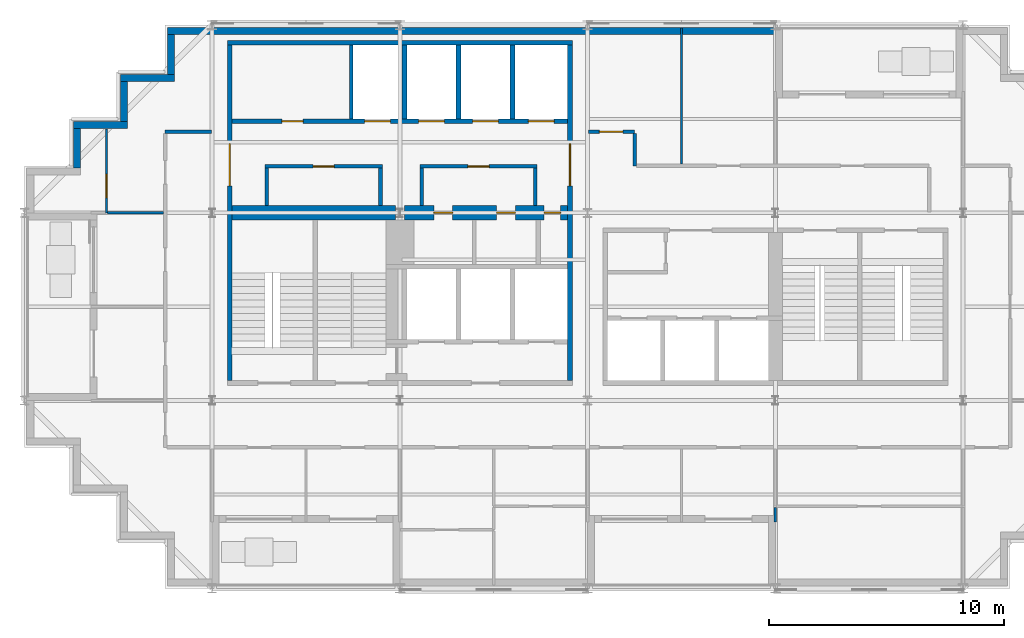
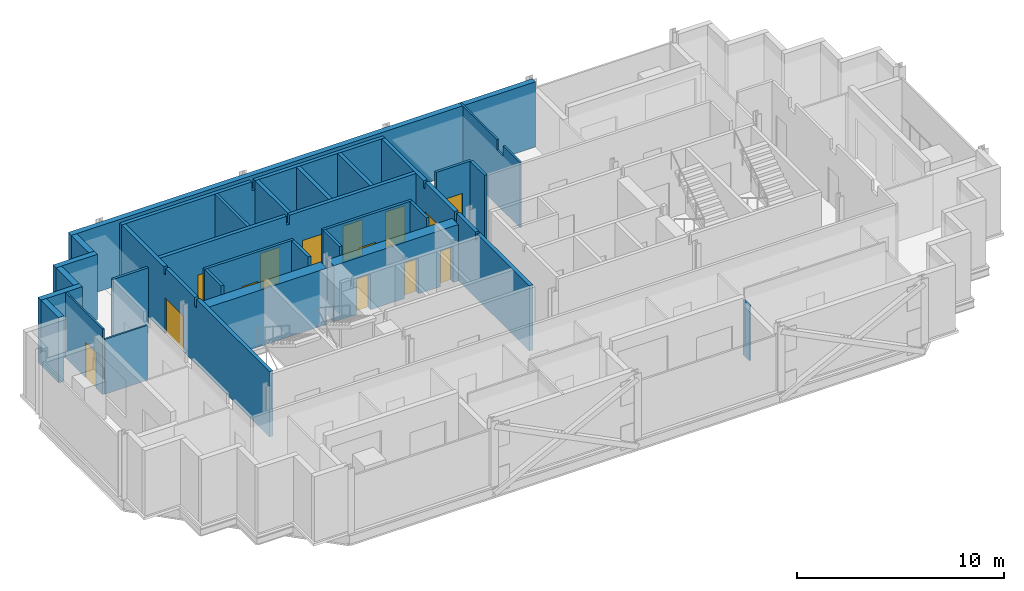
# One storey, part 6 of 10: 29 walls, 14 doors, 14 openings.
"""IFC4 building model written with IfcOpenShell, lengths in metres."""

from ifc_helpers import new_model, si_unit, direction, frame, frame_2d, origin, place, context, subcontext, project, spatial, polyline, rectangle, outline, extrude, material, layer, layer_set, type_object, element, fill, save


model = new_model("IFC4")

# Units and contexts
model_context = context("Model", 3, precision=1e-05, world=origin(), true_north=direction((0.0, 1.0)))
body_context = subcontext(model_context, "Body", "Model", "MODEL_VIEW")
ifc_project = project(units=[si_unit("LENGTHUNIT", "METRE"), si_unit("AREAUNIT", "SQUARE_METRE"), si_unit("VOLUMEUNIT", "CUBIC_METRE"), si_unit("PLANEANGLEUNIT", "RADIAN"), si_unit("MASSUNIT", "GRAM", prefix="KILO")], contexts=[model_context])

# Site, building, storey
site_placement = place(None, origin())
site = spatial("IfcSite", under=ifc_project, at=site_placement, CompositionType="ELEMENT")
building_placement = place(site_placement, origin())
building = spatial("IfcBuilding", under=site, at=building_placement, Name="Immortelle Media Tower", CompositionType="ELEMENT")
storey_placement = place(building_placement, frame((0.0, 0.0, 291.0)))
storey = spatial("IfcBuildingStorey", under=building, at=storey_placement, Name="L64", CompositionType="ELEMENT", Elevation=291.0)

# Wall, openings, doors
ifc_material_1 = material(Name="Fire-rated masonry blockwork", Category="masonry")
ifc_layer_1 = layer(ifc_material_1, 0.60009765625)
ifc_layer_set_1 = layer_set([ifc_layer_1], Name="Fire-rated masonry blockwork")
wall_type_1 = type_object("IfcWallType", Name="Core grid-line wall 600", PredefinedType="PARTITIONING", material=ifc_layer_set_1)
wall_1_placement = place(storey_placement, frame((16.19140625, 16.0, 0.0), z_axis=(0.0, 0.0, 1.0), x_axis=(1.0, 0.0, 0.0)))
wall_1 = element("IfcWall", 1, at=wall_1_placement, inside=storey, type_object=wall_type_1, Name="Core grid-line wall SW", PredefinedType="PARTITIONING", context=body_context, shape_type="SweptSolid", body=[
    extrude(rectangle(XDim=6.95849609375, YDim=0.60009765625, at=frame_2d((3.479248046875, 0.0))), origin(), (0.0, 0.0, 1.0), 3.318115234375),
])
opening_1_placement = place(wall_1_placement, frame((2.05859375, 0.0, 0.0), z_axis=(0.0, 0.0, 1.0), x_axis=(-1.0, 0.0, 0.0)))
opening_1 = element("IfcOpeningElement", 2, at=opening_1_placement, cuts=wall_1, Name="Opening X6-K010", PredefinedType="OPENING", context=body_context, shape_type="SweptSolid", body=[
    extrude(rectangle(XDim=0.800048828125, YDim=2.10009765625, at=frame_2d((0.39990234375, 1.050048828125))), frame((0.0, 0.31005859375, 0.0), z_axis=(0.0, -1.0, 0.0), x_axis=(1.0, 0.0, 0.0)), (0.0, 0.0, 1.0), 0.6201171875),
])
opening_2_placement = place(wall_1_placement, frame((3.93359375, 0.0, 0.0)))
opening_2 = element("IfcOpeningElement", 3, at=opening_2_placement, cuts=wall_1, Name="Opening X6-K015", PredefinedType="OPENING", context=body_context, shape_type="SweptSolid", body=[
    extrude(rectangle(XDim=0.800048828125, YDim=2.10009765625, at=frame_2d((0.39990234375, 1.050048828125))), frame((0.0, 0.31005859375, 0.0), z_axis=(0.0, -1.0, 0.0), x_axis=(1.0, 0.0, 0.0)), (0.0, 0.0, 1.0), 0.6201171875),
])
opening_3_placement = place(wall_1_placement, frame((6.658447265625, 0.0, 0.0), z_axis=(0.0, 0.0, 1.0), x_axis=(-1.0, 0.0, 0.0)))
opening_3 = element("IfcOpeningElement", 4, at=opening_3_placement, cuts=wall_1, Name="Opening X6-K018", PredefinedType="OPENING", context=body_context, shape_type="SweptSolid", body=[
    extrude(rectangle(XDim=0.699951171875, YDim=2.10009765625, at=frame_2d((0.35009765625, 1.050048828125))), frame((0.0, 0.31005859375, 0.0), z_axis=(0.0, -1.0, 0.0), x_axis=(1.0, 0.0, 0.0)), (0.0, 0.0, 1.0), 0.6201171875),
])
ifc_material_2 = material(Name="Galvanised steel door leaf and frame ASTM A653", Category="steel")
door_type_1 = type_object("IfcDoorType", Name="Service door 700 x 2100", OperationType="NOTDEFINED", PredefinedType="NOTDEFINED", material=ifc_material_2)
door_1_placement = place(opening_3_placement, origin())
door_1 = element("IfcDoor", 5, at=door_1_placement, inside=storey, type_object=door_type_1, Name="Service X6-K018", OperationType="SINGLE_SWING_RIGHT", OverallHeight=2.10009765625, OverallWidth=0.699951171875, PredefinedType="NOTDEFINED", context=body_context, shape_type="SweptSolid", body=[
    extrude(rectangle(XDim=0.699951171875, YDim=2.10009765625, at=frame_2d((0.35009765625, 1.050048828125))), frame((0.0, 0.02490234375, 0.0), z_axis=(0.0, -1.0, 0.0), x_axis=(1.0, 0.0, 0.0)), (0.0, 0.0, 1.0), 0.050048828125),
])
fill(opening_3, door_1)
ifc_material_3 = material(Name="Timber", Category="wood")
door_type_2 = type_object("IfcDoorType", Name="Toilet door 800 x 2100", OperationType="NOTDEFINED", PredefinedType="NOTDEFINED", material=ifc_material_3)
door_2_placement = place(opening_1_placement, origin())
door_2 = element("IfcDoor", 6, at=door_2_placement, inside=storey, type_object=door_type_2, Name="Toilet X6-K010", OperationType="SINGLE_SWING_RIGHT", OverallHeight=2.10009765625, OverallWidth=0.800048828125, PredefinedType="NOTDEFINED", context=body_context, shape_type="SweptSolid", body=[
    extrude(rectangle(XDim=0.800048828125, YDim=2.10009765625, at=frame_2d((0.39990234375, 1.050048828125))), frame((0.0, 0.02490234375, 0.0), z_axis=(0.0, -1.0, 0.0), x_axis=(1.0, 0.0, 0.0)), (0.0, 0.0, 1.0), 0.050048828125),
])
fill(opening_1, door_2)
door_3_placement = place(opening_2_placement, origin())
door_3 = element("IfcDoor", 7, at=door_3_placement, inside=storey, type_object=door_type_2, Name="Toilet X6-K015", OperationType="SINGLE_SWING_RIGHT", OverallHeight=2.10009765625, OverallWidth=0.800048828125, PredefinedType="NOTDEFINED", context=body_context, shape_type="SweptSolid", body=[
    extrude(rectangle(XDim=0.800048828125, YDim=2.10009765625, at=frame_2d((0.39990234375, 1.050048828125))), frame((0.0, 0.02490234375, 0.0), z_axis=(0.0, -1.0, 0.0), x_axis=(1.0, 0.0, 0.0)), (0.0, 0.0, 1.0), 0.050048828125),
])
fill(opening_2, door_3)

# Wall
ifc_material_4 = material(Name="Fire-rated gypsum board", Category="gypsum")
ifc_layer_2 = layer(ifc_material_4, 0.02490234375)
ifc_material_5 = material(Name="Steel ASTM A653 SS Gr 50 stud frame with mineral wool", Category="steel")
ifc_layer_3 = layer(ifc_material_5, 0.10009765625)
ifc_layer_4 = layer(ifc_material_4, 0.02490234375)
ifc_layer_set_2 = layer_set([ifc_layer_2, ifc_layer_3, ifc_layer_4], Name="Steel ASTM A653 SS Gr 50 stud frame with mineral wool")
wall_type_2 = type_object("IfcWallType", Name="Core partition 150", PredefinedType="PARTITIONING", material=ifc_layer_set_2)
wall_2_placement = place(storey_placement, frame((10.324951171875, 16.300048828125, 0.0), z_axis=(0.0, 0.0, 1.0), x_axis=(0.0, 1.0, 0.0)))
element("IfcWall", 8, at=wall_2_placement, inside=storey, type_object=wall_type_2, Name="Core partition SW", PredefinedType="PARTITIONING", context=body_context, shape_type="SweptSolid", body=[
    extrude(rectangle(XDim=1.599853515625, YDim=0.14990234375, at=frame_2d((0.7998046875, 0.0))), origin(), (0.0, 0.0, 1.0), 3.85009765625),
])

# Wall, opening, door
wall_3_placement = place(storey_placement, frame((10.25, 17.97509765625, 0.0), z_axis=(0.0, 0.0, 1.0), x_axis=(1.0, 0.0, 0.0)))
wall_3 = element("IfcWall", 9, at=wall_3_placement, inside=storey, type_object=wall_type_2, Name="Core partition SW", PredefinedType="PARTITIONING", context=body_context, shape_type="SweptSolid", body=[
    extrude(rectangle(XDim=5.0, YDim=0.14990234375, at=frame_2d((2.5, 0.0))), origin(), (0.0, 0.0, 1.0), 3.85009765625),
])
opening_4_placement = place(wall_3_placement, frame((2.949951171875, 0.0, 0.0), z_axis=(0.0, 0.0, 1.0), x_axis=(-1.0, 0.0, 0.0)))
opening_4 = element("IfcOpeningElement", 10, at=opening_4_placement, cuts=wall_3, Name="Opening X6-K004", PredefinedType="OPENING", context=body_context, shape_type="SweptSolid", body=[
    extrude(rectangle(XDim=0.89990234375, YDim=2.10009765625, at=frame_2d((0.449951171875, 1.050048828125))), frame((0.0, 0.0849609375, 0.0), z_axis=(0.0, -1.0, 0.0), x_axis=(1.0, 0.0, 0.0)), (0.0, 0.0, 1.0), 0.169921875),
])
door_type_3 = type_object("IfcDoorType", Name="Room door 900 x 2100", OperationType="NOTDEFINED", PredefinedType="NOTDEFINED", material=ifc_material_3)
door_4_placement = place(opening_4_placement, origin())
door_4 = element("IfcDoor", 11, at=door_4_placement, inside=storey, type_object=door_type_3, Name="Room X6-K004", OperationType="SINGLE_SWING_LEFT", OverallHeight=2.10009765625, OverallWidth=0.89990234375, PredefinedType="NOTDEFINED", context=body_context, shape_type="SweptSolid", body=[
    extrude(rectangle(XDim=0.89990234375, YDim=2.10009765625, at=frame_2d((0.449951171875, 1.050048828125))), frame((0.0, 0.02490234375, 0.0), z_axis=(0.0, -1.0, 0.0), x_axis=(1.0, 0.0, 0.0)), (0.0, 0.0, 1.0), 0.050048828125),
])
fill(opening_4, door_4)

# Walls
wall_4_placement = place(storey_placement, frame((13.925048828125, 20.0, 0.0), z_axis=(0.0, 0.0, 1.0), x_axis=(0.0, 1.0, 0.0)))
element("IfcWall", 12, at=wall_4_placement, inside=storey, type_object=wall_type_2, Name="Core partition SW", PredefinedType="PARTITIONING", context=body_context, shape_type="SweptSolid", body=[
    extrude(rectangle(XDim=3.14990234375, YDim=0.14990234375, at=frame_2d((1.574951171875, 0.0))), origin(), (0.0, 0.0, 1.0), 3.85009765625),
])
for number, where, z_axis, x_axis, name in (
    (13, (15.175048828125, 16.300048828125, 0.0), (0.0, 0.0, 1.0), (0.0, 1.0, 0.0), "Core partition SW"),
    (14, (16.925048828125, 16.300048828125, 0.0), (0.0, 0.0, 1.0), (0.0, 1.0, 0.0), "Core partition SW"),
):
    element("IfcWall", number, at=place(storey_placement, frame(where, z_axis=z_axis, x_axis=x_axis)), inside=storey, type_object=wall_type_2, Name=name, PredefinedType="PARTITIONING", context=body_context, shape_type="SweptSolid", body=[
        extrude(rectangle(XDim=1.599853515625, YDim=0.14990234375, at=frame_2d((0.7998046875, 0.0))), origin(), (0.0, 0.0, 1.0), 3.85009765625),
    ])

# Wall, opening, door
wall_5_placement = place(storey_placement, frame((16.85009765625, 17.97509765625, 0.0), z_axis=(0.0, 0.0, 1.0), x_axis=(1.0, 0.0, 0.0)))
wall_5 = element("IfcWall", 15, at=wall_5_placement, inside=storey, type_object=wall_type_2, Name="Core partition SW", PredefinedType="PARTITIONING", context=body_context, shape_type="SweptSolid", body=[
    extrude(rectangle(XDim=5.0, YDim=0.14990234375, at=frame_2d((2.5, 0.0))), origin(), (0.0, 0.0, 1.0), 3.85009765625),
])
opening_5_placement = place(wall_5_placement, frame((2.949951171875, 0.0, 0.0), z_axis=(0.0, 0.0, 1.0), x_axis=(-1.0, 0.0, 0.0)))
opening_5 = element("IfcOpeningElement", 16, at=opening_5_placement, cuts=wall_5, Name="Opening X6-K011", PredefinedType="OPENING", context=body_context, shape_type="SweptSolid", body=[
    extrude(rectangle(XDim=0.89990234375, YDim=2.10009765625, at=frame_2d((0.449951171875, 1.050048828125))), frame((0.0, 0.0849609375, 0.0), z_axis=(0.0, -1.0, 0.0), x_axis=(1.0, 0.0, 0.0)), (0.0, 0.0, 1.0), 0.169921875),
])
door_5_placement = place(opening_5_placement, origin())
door_5 = element("IfcDoor", 17, at=door_5_placement, inside=storey, type_object=door_type_3, Name="Room X6-K011", OperationType="SINGLE_SWING_RIGHT", OverallHeight=2.10009765625, OverallWidth=0.89990234375, PredefinedType="NOTDEFINED", context=body_context, shape_type="SweptSolid", body=[
    extrude(rectangle(XDim=0.89990234375, YDim=2.10009765625, at=frame_2d((0.449951171875, 1.050048828125))), frame((0.0, 0.02490234375, 0.0), z_axis=(0.0, -1.0, 0.0), x_axis=(1.0, 0.0, 0.0)), (0.0, 0.0, 1.0), 0.050048828125),
])
fill(opening_5, door_5)

# Walls
wall_6_placement = place(storey_placement, frame((21.77490234375, 16.300048828125, 0.0), z_axis=(0.0, 0.0, 1.0), x_axis=(0.0, 1.0, 0.0)))
element("IfcWall", 18, at=wall_6_placement, inside=storey, type_object=wall_type_2, Name="Core partition SW", PredefinedType="PARTITIONING", context=body_context, shape_type="SweptSolid", body=[
    extrude(rectangle(XDim=1.599853515625, YDim=0.14990234375, at=frame_2d((0.7998046875, 0.0))), origin(), (0.0, 0.0, 1.0), 3.85009765625),
])
ifc_layer_5 = layer(ifc_material_4, 0.03759765625)
ifc_layer_6 = layer(ifc_material_5, 0.125)
ifc_layer_7 = layer(ifc_material_4, 0.03759765625)
ifc_layer_set_3 = layer_set([ifc_layer_5, ifc_layer_6, ifc_layer_7], Name="Steel ASTM A653 SS Gr 50 stud frame with mineral wool")
wall_type_3 = type_object("IfcWallType", Name="Core shaft wall 200", PredefinedType="PARTITIONING", material=ifc_layer_set_3)
wall_7_placement = place(storey_placement, frame((8.64990234375, 23.25, 0.0), z_axis=(0.0, 0.0, 1.0), x_axis=(1.0, 0.0, 0.0)))
element("IfcWall", 19, at=wall_7_placement, inside=storey, type_object=wall_type_3, Name="Core shaft wall SW", PredefinedType="PARTITIONING", context=body_context, shape_type="SweptSolid", body=[
    extrude(outline(polyline([(0.0, 0.0), (14.7001953125, 0.0), (14.699951171875, 3.85009765625), (7.4375, 3.85009765625), (7.4365234375, 3.318115234375), (7.263427734375, 3.318115234375), (7.262451171875, 3.85009765625), (0.0, 3.85009765625), (0.0, 0.0)])), frame((0.0, 0.10009765625, 0.0), z_axis=(0.0, -1.0, 0.0), x_axis=(1.0, 0.0, 0.0)), (0.0, 0.0, 1.0), 0.199951171875),
])

# Wall, openings, doors
wall_8_placement = place(storey_placement, frame((8.85009765625, 19.89990234375, 0.0), z_axis=(0.0, 0.0, 1.0), x_axis=(1.0, 0.0, 0.0)))
wall_8 = element("IfcWall", 20, at=wall_8_placement, inside=storey, type_object=wall_type_3, Name="Core shaft wall SW", PredefinedType="PARTITIONING", context=body_context, shape_type="SweptSolid", body=[
    extrude(outline(polyline([(0.0, 0.0), (14.2998046875, 0.0), (14.300048828125, 3.85009765625), (7.237548828125, 3.85009765625), (7.236572265625, 3.318115234375), (7.0634765625, 3.318115234375), (7.0625, 3.85009765625), (0.0, 3.85009765625), (0.0, 0.0)])), frame((0.0, 0.10009765625, 0.0), z_axis=(0.0, -1.0, 0.0), x_axis=(1.0, 0.0, 0.0)), (0.0, 0.0, 1.0), 0.199951171875),
])
opening_6_placement = place(wall_8_placement, frame((2.125, 0.0, 0.0)))
opening_6 = element("IfcOpeningElement", 21, at=opening_6_placement, cuts=wall_8, Name="Opening X6-K003", PredefinedType="OPENING", context=body_context, shape_type="SweptSolid", body=[
    extrude(rectangle(XDim=0.89990234375, YDim=2.10009765625, at=frame_2d((0.449951171875, 1.050048828125))), frame((0.0, 0.10986328125, 0.0), z_axis=(0.0, -1.0, 0.0), x_axis=(1.0, 0.0, 0.0)), (0.0, 0.0, 1.0), 0.219970703125),
])
opening_7_placement = place(wall_8_placement, frame((5.64990234375, 0.0, 0.0)))
opening_7 = element("IfcOpeningElement", 22, at=opening_7_placement, cuts=wall_8, Name="Opening LD", PredefinedType="OPENING", context=body_context, shape_type="SweptSolid", body=[
    extrude(rectangle(XDim=1.10009765625, YDim=2.10009765625, at=frame_2d((0.550048828125, 1.050048828125))), frame((0.0, 0.10986328125, 0.0), z_axis=(0.0, -1.0, 0.0), x_axis=(1.0, 0.0, 0.0)), (0.0, 0.0, 1.0), 0.219970703125),
])
opening_8_placement = place(wall_8_placement, frame((7.949951171875, 0.0, 0.0)))
opening_8 = element("IfcOpeningElement", 23, at=opening_8_placement, cuts=wall_8, Name="Opening LD", PredefinedType="OPENING", context=body_context, shape_type="SweptSolid", body=[
    extrude(rectangle(XDim=1.10009765625, YDim=2.10009765625, at=frame_2d((0.550048828125, 1.050048828125))), frame((0.0, 0.10986328125, 0.0), z_axis=(0.0, -1.0, 0.0), x_axis=(1.0, 0.0, 0.0)), (0.0, 0.0, 1.0), 0.219970703125),
])
opening_9_placement = place(wall_8_placement, frame((10.25, 0.0, 0.0)))
opening_9 = element("IfcOpeningElement", 24, at=opening_9_placement, cuts=wall_8, Name="Opening LD", PredefinedType="OPENING", context=body_context, shape_type="SweptSolid", body=[
    extrude(rectangle(XDim=1.10009765625, YDim=2.10009765625, at=frame_2d((0.550048828125, 1.050048828125))), frame((0.0, 0.10986328125, 0.0), z_axis=(0.0, -1.0, 0.0), x_axis=(1.0, 0.0, 0.0)), (0.0, 0.0, 1.0), 0.219970703125),
])
opening_10_placement = place(wall_8_placement, frame((12.625, 0.0, 0.0)))
opening_10 = element("IfcOpeningElement", 25, at=opening_10_placement, cuts=wall_8, Name="Opening LD", PredefinedType="OPENING", context=body_context, shape_type="SweptSolid", body=[
    extrude(rectangle(XDim=1.10009765625, YDim=2.10009765625, at=frame_2d((0.550048828125, 1.050048828125))), frame((0.0, 0.10986328125, 0.0), z_axis=(0.0, -1.0, 0.0), x_axis=(1.0, 0.0, 0.0)), (0.0, 0.0, 1.0), 0.219970703125),
])
ifc_material_6 = material(Name="Stainless steel AISI 304", Category="steel")
door_type_4 = type_object("IfcDoorType", Name="Landing door 1100 x 2100", OperationType="SLIDING_TO_LEFT", PredefinedType="NOTDEFINED", material=ifc_material_6)
door_6_placement = place(opening_7_placement, origin())
door_6 = element("IfcDoor", 26, at=door_6_placement, inside=storey, type_object=door_type_4, Name="Landing door HR1 L64", OperationType="SLIDING_TO_LEFT", OverallHeight=2.10009765625, OverallWidth=1.10009765625, PredefinedType="NOTDEFINED", context=body_context, shape_type="SweptSolid", body=[
    extrude(rectangle(XDim=1.10009765625, YDim=2.10009765625, at=frame_2d((0.550048828125, 1.050048828125))), frame((0.0, 0.02490234375, 0.0), z_axis=(0.0, -1.0, 0.0), x_axis=(1.0, 0.0, 0.0)), (0.0, 0.0, 1.0), 0.050048828125),
])
fill(opening_7, door_6)
door_7_placement = place(opening_8_placement, origin())
door_7 = element("IfcDoor", 27, at=door_7_placement, inside=storey, type_object=door_type_4, Name="Landing door HR2 L64", OperationType="SLIDING_TO_LEFT", OverallHeight=2.10009765625, OverallWidth=1.10009765625, PredefinedType="NOTDEFINED", context=body_context, shape_type="SweptSolid", body=[
    extrude(rectangle(XDim=1.10009765625, YDim=2.10009765625, at=frame_2d((0.550048828125, 1.050048828125))), frame((0.0, 0.02490234375, 0.0), z_axis=(0.0, -1.0, 0.0), x_axis=(1.0, 0.0, 0.0)), (0.0, 0.0, 1.0), 0.050048828125),
])
fill(opening_8, door_7)
door_8_placement = place(opening_9_placement, origin())
door_8 = element("IfcDoor", 28, at=door_8_placement, inside=storey, type_object=door_type_4, Name="Landing door HR3 L64", OperationType="SLIDING_TO_LEFT", OverallHeight=2.10009765625, OverallWidth=1.10009765625, PredefinedType="NOTDEFINED", context=body_context, shape_type="SweptSolid", body=[
    extrude(rectangle(XDim=1.10009765625, YDim=2.10009765625, at=frame_2d((0.550048828125, 1.050048828125))), frame((0.0, 0.02490234375, 0.0), z_axis=(0.0, -1.0, 0.0), x_axis=(1.0, 0.0, 0.0)), (0.0, 0.0, 1.0), 0.050048828125),
])
fill(opening_9, door_8)
door_9_placement = place(opening_10_placement, origin())
door_9 = element("IfcDoor", 29, at=door_9_placement, inside=storey, type_object=door_type_4, Name="Landing door HR4 L64", OperationType="SLIDING_TO_LEFT", OverallHeight=2.10009765625, OverallWidth=1.10009765625, PredefinedType="NOTDEFINED", context=body_context, shape_type="SweptSolid", body=[
    extrude(rectangle(XDim=1.10009765625, YDim=2.10009765625, at=frame_2d((0.550048828125, 1.050048828125))), frame((0.0, 0.02490234375, 0.0), z_axis=(0.0, -1.0, 0.0), x_axis=(1.0, 0.0, 0.0)), (0.0, 0.0, 1.0), 0.050048828125),
])
fill(opening_10, door_9)
door_10_placement = place(opening_6_placement, origin())
door_10 = element("IfcDoor", 30, at=door_10_placement, inside=storey, type_object=door_type_3, Name="Room X6-K003", OperationType="SINGLE_SWING_LEFT", OverallHeight=2.10009765625, OverallWidth=0.89990234375, PredefinedType="NOTDEFINED", context=body_context, shape_type="SweptSolid", body=[
    extrude(rectangle(XDim=0.89990234375, YDim=2.10009765625, at=frame_2d((0.449951171875, 1.050048828125))), frame((0.0, 0.02490234375, 0.0), z_axis=(0.0, -1.0, 0.0), x_axis=(1.0, 0.0, 0.0)), (0.0, 0.0, 1.0), 0.050048828125),
])
fill(opening_6, door_10)

# Walls
for number, where, z_axis, x_axis, name in (
    (31, (16.199951171875, 20.0, 0.0), (0.0, 0.0, 1.0), (0.0, 1.0, 0.0), "Core shaft wall SW"),
    (32, (18.5, 20.0, 0.0), (0.0, 0.0, 1.0), (0.0, 1.0, 0.0), "Core shaft wall SW"),
    (33, (20.800048828125, 20.0, 0.0), (0.0, 0.0, 1.0), (0.0, 1.0, 0.0), "Core shaft wall SW"),
):
    element("IfcWall", number, at=place(storey_placement, frame(where, z_axis=z_axis, x_axis=x_axis)), inside=storey, type_object=wall_type_3, Name=name, PredefinedType="PARTITIONING", context=body_context, shape_type="SweptSolid", body=[
        extrude(rectangle(XDim=3.14990234375, YDim=0.199951171875, at=frame_2d((1.574951171875, 0.0))), origin(), (0.0, 0.0, 1.0), 3.85009765625),
    ])

# Wall, opening, door
wall_9_placement = place(storey_placement, frame((23.25, 8.85009765625, 0.0), z_axis=(0.0, 0.0, 1.0), x_axis=(0.0, 1.0, 0.0)))
wall_9 = element("IfcWall", 34, at=wall_9_placement, inside=storey, type_object=wall_type_3, Name="Core shaft wall SW", PredefinedType="PARTITIONING", context=body_context, shape_type="SweptSolid", body=[
    extrude(outline(polyline([(0.0, 0.0), (14.2998046875, 0.0), (14.300048828125, 3.85009765625), (10.22509765625, 3.85009765625), (10.22412109375, 3.43994140625), (10.075927734375, 3.43994140625), (10.074951171875, 3.85009765625), (7.237548828125, 3.85009765625), (7.236572265625, 3.318115234375), (7.0634765625, 3.318115234375), (7.0625, 3.85009765625), (5.22509765625, 3.85009765625), (5.22412109375, 3.43994140625), (5.075927734375, 3.43994140625), (5.074951171875, 3.85009765625), (0.0, 3.85009765625), (0.0, 0.0)])), frame((0.0, 0.10009765625, 0.0), z_axis=(0.0, -1.0, 0.0), x_axis=(1.0, 0.0, 0.0)), (0.0, 0.0, 1.0), 0.199951171875),
])
opening_11_placement = place(wall_9_placement, frame((8.300048828125, 0.0, 0.0)))
opening_11 = element("IfcOpeningElement", 35, at=opening_11_placement, cuts=wall_9, Name="Opening X6-K019", PredefinedType="OPENING", context=body_context, shape_type="SweptSolid", body=[
    extrude(rectangle(XDim=1.800048828125, YDim=2.10009765625, at=frame_2d((0.89990234375, 1.050048828125))), frame((0.0, 0.10986328125, 0.0), z_axis=(0.0, -1.0, 0.0), x_axis=(1.0, 0.0, 0.0)), (0.0, 0.0, 1.0), 0.219970703125),
])
door_type_5 = type_object("IfcDoorType", Name="Lift lobby door 1800 x 2100", OperationType="DOUBLE_DOOR_SINGLE_SWING", PredefinedType="NOTDEFINED", material=ifc_material_2)
door_11_placement = place(opening_11_placement, origin())
door_11 = element("IfcDoor", 36, at=door_11_placement, inside=storey, type_object=door_type_5, Name="Lift lobby X6-K019", OperationType="DOUBLE_DOOR_SINGLE_SWING", OverallHeight=2.10009765625, OverallWidth=1.800048828125, PredefinedType="NOTDEFINED", context=body_context, shape_type="SweptSolid", body=[
    extrude(rectangle(XDim=1.800048828125, YDim=2.10009765625, at=frame_2d((0.89990234375, 1.050048828125))), frame((0.0, 0.02490234375, 0.0), z_axis=(0.0, -1.0, 0.0), x_axis=(1.0, 0.0, 0.0)), (0.0, 0.0, 1.0), 0.050048828125),
])
fill(opening_11, door_11)

# Walls
ifc_layer_8 = layer(ifc_material_4, 0.012451171875)
ifc_layer_9 = layer(ifc_material_5, 0.125)
ifc_layer_10 = layer(ifc_material_4, 0.012451171875)
ifc_layer_set_4 = layer_set([ifc_layer_8, ifc_layer_9, ifc_layer_10], Name="Steel ASTM A653 SS Gr 50 stud frame with mineral wool")
wall_type_4 = type_object("IfcWallType", Name="Corridor wall 150", PredefinedType="PARTITIONING", material=ifc_layer_set_4)
wall_10_placement = place(storey_placement, frame((26.0, 18.0, 0.0), z_axis=(0.0, 0.0, 1.0), x_axis=(0.0, 1.0, 0.0)))
element("IfcWall", 37, at=wall_10_placement, inside=storey, type_object=wall_type_4, Name="Partition L64-030", PredefinedType="PARTITIONING", context=body_context, shape_type="SweptSolid", body=[
    extrude(rectangle(XDim=1.375, YDim=0.14990234375, at=frame_2d((0.6875, 0.0))), origin(), (0.0, 0.0, 1.0), 3.85009765625),
])
wall_11_placement = place(storey_placement, frame((6.0, 19.449951171875, 0.0), z_axis=(0.0, 0.0, 1.0), x_axis=(1.0, 0.0, 0.0)))
element("IfcWall", 38, at=wall_11_placement, inside=storey, type_object=wall_type_4, Name="Partition L64-035", PredefinedType="PARTITIONING", context=body_context, shape_type="SweptSolid", body=[
    extrude(rectangle(XDim=1.969970703125, YDim=0.14990234375, at=frame_2d((0.98486328125, 0.0))), origin(), (0.0, 0.0, 1.0), 3.85009765625),
])

# Wall, opening, door
wall_12_placement = place(storey_placement, frame((24.030029296875, 19.449951171875, 0.0), z_axis=(0.0, 0.0, 1.0), x_axis=(1.0, 0.0, 0.0)))
wall_12 = element("IfcWall", 39, at=wall_12_placement, inside=storey, type_object=wall_type_4, Name="Partition L64-036", PredefinedType="PARTITIONING", context=body_context, shape_type="SweptSolid", body=[
    extrude(rectangle(XDim=1.969970703125, YDim=0.14990234375, at=frame_2d((0.98486328125, 0.0))), origin(), (0.0, 0.0, 1.0), 3.85009765625),
])
opening_12_placement = place(wall_12_placement, frame((0.469970703125, 0.0, 0.0)))
opening_12 = element("IfcOpeningElement", 40, at=opening_12_placement, cuts=wall_12, Name="Opening X6-F020", PredefinedType="OPENING", context=body_context, shape_type="SweptSolid", body=[
    extrude(rectangle(XDim=1.0, YDim=2.10009765625, at=frame_2d((0.5, 1.050048828125))), frame((0.0, 0.0849609375, 0.0), z_axis=(0.0, -1.0, 0.0), x_axis=(1.0, 0.0, 0.0)), (0.0, 0.0, 1.0), 0.169921875),
])
ifc_material_7 = material(Name="Timber veneered door leaf, galvanised steel frame ASTM A653", Category="steel")
door_type_6 = type_object("IfcDoorType", Name="Room door 1000 x 2100", OperationType="NOTDEFINED", PredefinedType="DOOR", material=ifc_material_7)
door_12_placement = place(opening_12_placement, origin())
door_12 = element("IfcDoor", 41, at=door_12_placement, inside=storey, type_object=door_type_6, Name="Door X6-F020", OperationType="SINGLE_SWING_LEFT", OverallHeight=2.10009765625, OverallWidth=1.0, PredefinedType="DOOR", context=body_context, shape_type="SweptSolid", body=[
    extrude(rectangle(XDim=1.0, YDim=2.10009765625, at=frame_2d((0.5, 1.050048828125))), frame((0.0, 0.02490234375, 0.0), z_axis=(0.0, -1.0, 0.0), x_axis=(1.0, 0.0, 0.0)), (0.0, 0.0, 1.0), 0.050048828125),
])
fill(opening_12, door_12)

# Walls
ifc_material_8 = material(Name="Pale aluminium cladding panel", Category="aluminium")
ifc_layer_11 = layer(ifc_material_8, 0.030029296875)
ifc_layer_12 = layer(ifc_material_5, 0.257568359375)
ifc_material_9 = material(Name="Moisture-resistant gypsum board", Category="gypsum")
ifc_layer_13 = layer(ifc_material_9, 0.012451171875)
ifc_layer_set_5 = layer_set([ifc_layer_11, ifc_layer_12, ifc_layer_13], Name="Steel ASTM A653 SS Gr 50 stud frame with mineral wool")
wall_type_5 = type_object("IfcWallType", Name="Facade wall 300", PredefinedType="SOLIDWALL", material=ifc_layer_set_5)
wall_13_placement = place(storey_placement, frame((32.0, 23.75, 0.0), z_axis=(0.0, 0.0, 1.0), x_axis=(-1.0, 0.0, 0.0)))
element("IfcWall", 42, at=wall_13_placement, inside=storey, type_object=wall_type_5, Name="Facade wall L64 N20", PredefinedType="SOLIDWALL", context=body_context, shape_type="SweptSolid", body=[
    extrude(rectangle(XDim=25.89990234375, YDim=0.300048828125, at=frame_2d((12.949951171875, 0.0))), origin(), (0.0, 0.0, 1.0), 3.85009765625),
])
wall_14_placement = place(storey_placement, frame((6.25, 23.60009765625, 0.0), z_axis=(0.0, 0.0, 1.0), x_axis=(0.0, -1.0, 0.0)))
element("IfcWall", 43, at=wall_14_placement, inside=storey, type_object=wall_type_5, Name="Facade wall L64 W21", PredefinedType="SOLIDWALL", context=body_context, shape_type="SweptSolid", body=[
    extrude(rectangle(XDim=1.7001953125, YDim=0.300048828125, at=frame_2d((0.85009765625, 0.0))), origin(), (0.0, 0.0, 1.0), 3.85009765625),
])
wall_15_placement = place(storey_placement, frame((6.39990234375, 21.75, 0.0), z_axis=(0.0, 0.0, 1.0), x_axis=(-1.0, 0.0, 0.0)))
element("IfcWall", 44, at=wall_15_placement, inside=storey, type_object=wall_type_5, Name="Facade wall L64 N22", PredefinedType="SOLIDWALL", context=body_context, shape_type="SweptSolid", body=[
    extrude(rectangle(XDim=2.2998046875, YDim=0.300048828125, at=frame_2d((1.14990234375, 0.0))), origin(), (0.0, 0.0, 1.0), 3.85009765625),
])
wall_16_placement = place(storey_placement, frame((4.25, 21.60009765625, 0.0), z_axis=(0.0, 0.0, 1.0), x_axis=(0.0, -1.0, 0.0)))
element("IfcWall", 45, at=wall_16_placement, inside=storey, type_object=wall_type_5, Name="Facade wall L64 W23", PredefinedType="SOLIDWALL", context=body_context, shape_type="SweptSolid", body=[
    extrude(rectangle(XDim=1.7001953125, YDim=0.300048828125, at=frame_2d((0.85009765625, 0.0))), origin(), (0.0, 0.0, 1.0), 3.85009765625),
])
wall_17_placement = place(storey_placement, frame((4.39990234375, 19.75, 0.0), z_axis=(0.0, 0.0, 1.0), x_axis=(-1.0, 0.0, 0.0)))
element("IfcWall", 46, at=wall_17_placement, inside=storey, type_object=wall_type_5, Name="Facade wall L64 N24", PredefinedType="SOLIDWALL", context=body_context, shape_type="SweptSolid", body=[
    extrude(rectangle(XDim=2.2998046875, YDim=0.300048828125, at=frame_2d((1.14990234375, 0.0))), origin(), (0.0, 0.0, 1.0), 3.85009765625),
])
wall_18_placement = place(storey_placement, frame((2.25, 19.60009765625, 0.0), z_axis=(0.0, 0.0, 1.0), x_axis=(0.0, -1.0, 0.0)))
element("IfcWall", 47, at=wall_18_placement, inside=storey, type_object=wall_type_5, Name="Facade wall L64 W25", PredefinedType="SOLIDWALL", context=body_context, shape_type="SweptSolid", body=[
    extrude(rectangle(XDim=1.7001953125, YDim=0.300048828125, at=frame_2d((0.85009765625, 0.0))), origin(), (0.0, 0.0, 1.0), 3.85009765625),
])
ifc_material_10 = material(Name="Gypsum board", Category="gypsum")
ifc_layer_14 = layer(ifc_material_10, 0.012451171875)
ifc_layer_15 = layer(ifc_material_5, 0.074951171875)
ifc_layer_16 = layer(ifc_material_10, 0.012451171875)
ifc_layer_set_6 = layer_set([ifc_layer_14, ifc_layer_15, ifc_layer_16], Name="Steel ASTM A653 SS Gr 50 stud frame with mineral wool")
wall_type_6 = type_object("IfcWallType", Name="Partition 100", PredefinedType="PARTITIONING", material=ifc_layer_set_6)
wall_19_placement = place(storey_placement, frame((32.0, 2.830078125, 0.0), z_axis=(0.0, 0.0, 1.0), x_axis=(0.0, 1.0, 0.0)))
element("IfcWall", 48, at=wall_19_placement, inside=storey, type_object=wall_type_6, Name="Partition L64-010", PredefinedType="PARTITIONING", context=body_context, shape_type="SweptSolid", body=[
    extrude(rectangle(XDim=0.619873046875, YDim=0.10009765625, at=frame_2d((0.31005859375, 0.0))), origin(), (0.0, 0.0, 1.0), 3.238037109375),
])
wall_20_placement = place(storey_placement, frame((3.550048828125, 16.0, 0.0), z_axis=(0.0, 0.0, 1.0), x_axis=(1.0, 0.0, 0.0)))
element("IfcWall", 49, at=wall_20_placement, inside=storey, type_object=wall_type_6, Name="Partition L64-024", PredefinedType="PARTITIONING", context=body_context, shape_type="SweptSolid", body=[
    extrude(rectangle(XDim=2.375, YDim=0.10009765625, at=frame_2d((1.1875, 0.0))), origin(), (0.0, 0.0, 1.0), 3.238037109375),
])

# Wall, opening, door
wall_21_placement = place(storey_placement, frame((3.5, 16.0, 0.0), z_axis=(0.0, 0.0, 1.0), x_axis=(0.0, 1.0, 0.0)))
wall_21 = element("IfcWall", 50, at=wall_21_placement, inside=storey, type_object=wall_type_6, Name="Partition L64-025", PredefinedType="PARTITIONING", context=body_context, shape_type="SweptSolid", body=[
    extrude(rectangle(XDim=3.570068359375, YDim=0.10009765625, at=frame_2d((1.78515625, 0.0))), origin(), (0.0, 0.0, 1.0), 3.85009765625),
])
opening_13_placement = place(wall_21_placement, frame((1.64990234375, 0.0, 0.0), z_axis=(0.0, 0.0, 1.0), x_axis=(-1.0, 0.0, 0.0)))
opening_13 = element("IfcOpeningElement", 51, at=opening_13_placement, cuts=wall_21, Name="Opening X6-F017", PredefinedType="OPENING", context=body_context, shape_type="SweptSolid", body=[
    extrude(rectangle(XDim=1.0, YDim=2.10009765625, at=frame_2d((0.5, 1.050048828125))), frame((0.0, 0.06005859375, 0.0), z_axis=(0.0, -1.0, 0.0), x_axis=(1.0, 0.0, 0.0)), (0.0, 0.0, 1.0), 0.1201171875),
])
door_13_placement = place(opening_13_placement, origin())
door_13 = element("IfcDoor", 52, at=door_13_placement, inside=storey, type_object=door_type_6, Name="Door X6-F017", OperationType="SINGLE_SWING_RIGHT", OverallHeight=2.10009765625, OverallWidth=1.0, PredefinedType="DOOR", context=body_context, shape_type="SweptSolid", body=[
    extrude(rectangle(XDim=1.0, YDim=2.10009765625, at=frame_2d((0.5, 1.050048828125))), frame((0.0, 0.02490234375, 0.0), z_axis=(0.0, -1.0, 0.0), x_axis=(1.0, 0.0, 0.0)), (0.0, 0.0, 1.0), 0.050048828125),
])
fill(opening_13, door_13)

# Wall
wall_22_placement = place(storey_placement, frame((28.0, 18.074951171875, 0.0), z_axis=(0.0, 0.0, 1.0), x_axis=(0.0, 1.0, 0.0)))
element("IfcWall", 53, at=wall_22_placement, inside=storey, type_object=wall_type_6, Name="Partition L64-031", PredefinedType="PARTITIONING", context=body_context, shape_type="SweptSolid", body=[
    extrude(outline(polyline([(0.0, 0.0), (5.795166015625, 0.0), (5.794921875, 3.85009765625), (2.22509765625, 3.85009765625), (2.222900390625, 3.238037109375), (1.626953125, 3.238037109375), (1.625, 3.85009765625), (0.0, 3.85009765625), (0.0, 0.0)])), frame((0.0, 0.050048828125, 0.0), z_axis=(0.0, -1.0, 0.0), x_axis=(1.0, 0.0, 0.0)), (0.0, 0.0, 1.0), 0.10009765625),
])

# Wall, opening, door
ifc_material_11 = material(Name="Concrete C60", Category="concrete")
ifc_layer_17 = layer(ifc_material_11, 0.199951171875)
ifc_layer_set_7 = layer_set([ifc_layer_17], Name="Concrete C60")
wall_type_7 = type_object("IfcWallType", Name="Stair shaft wall 200", PredefinedType="PARTITIONING", material=ifc_layer_set_7)
wall_23_placement = place(storey_placement, frame((8.75, 8.85009765625, 0.0), z_axis=(0.0, 0.0, 1.0), x_axis=(0.0, 1.0, 0.0)))
wall_23 = element("IfcWall", 54, at=wall_23_placement, inside=storey, type_object=wall_type_7, Name="Stair shaft wall SW", PredefinedType="PARTITIONING", context=body_context, shape_type="SweptSolid", body=[
    extrude(outline(polyline([(0.0, 0.0), (14.2998046875, 0.0), (14.300048828125, 3.85009765625), (10.22509765625, 3.85009765625), (10.22412109375, 3.43994140625), (10.075927734375, 3.43994140625), (10.074951171875, 3.85009765625), (7.237548828125, 3.85009765625), (7.236572265625, 3.318115234375), (7.0634765625, 3.318115234375), (7.0625, 3.85009765625), (0.0, 3.85009765625), (0.0, 0.0)])), frame((0.0, 0.10009765625, 0.0), z_axis=(0.0, -1.0, 0.0), x_axis=(1.0, 0.0, 0.0)), (0.0, 0.0, 1.0), 0.199951171875),
])
opening_14_placement = place(wall_23_placement, frame((8.300048828125, 0.0, 0.0)))
opening_14 = element("IfcOpeningElement", 55, at=opening_14_placement, cuts=wall_23, Name="Opening X6-K001", PredefinedType="OPENING", context=body_context, shape_type="SweptSolid", body=[
    extrude(rectangle(XDim=1.800048828125, YDim=2.10009765625, at=frame_2d((0.89990234375, 1.050048828125))), frame((0.0, 0.10986328125, 0.0), z_axis=(0.0, -1.0, 0.0), x_axis=(1.0, 0.0, 0.0)), (0.0, 0.0, 1.0), 0.219970703125),
])
door_14_placement = place(opening_14_placement, origin())
door_14 = element("IfcDoor", 56, at=door_14_placement, inside=storey, type_object=door_type_5, Name="Lift lobby X6-K001", OperationType="DOUBLE_DOOR_SINGLE_SWING", OverallHeight=2.10009765625, OverallWidth=1.800048828125, PredefinedType="NOTDEFINED", context=body_context, shape_type="SweptSolid", body=[
    extrude(rectangle(XDim=1.800048828125, YDim=2.10009765625, at=frame_2d((0.89990234375, 1.050048828125))), frame((0.0, 0.02490234375, 0.0), z_axis=(0.0, -1.0, 0.0), x_axis=(1.0, 0.0, 0.0)), (0.0, 0.0, 1.0), 0.050048828125),
])
fill(opening_14, door_14)

# Wall
ifc_layer_18 = layer(ifc_material_11, 0.60009765625)
ifc_layer_set_8 = layer_set([ifc_layer_18], Name="Concrete C60")
wall_type_8 = type_object("IfcWallType", Name="Stair shaft wall 600", PredefinedType="PARTITIONING", material=ifc_layer_set_8)
wall_24_placement = place(storey_placement, frame((8.85009765625, 16.0, 0.0), z_axis=(0.0, 0.0, 1.0), x_axis=(1.0, 0.0, 0.0)))
element("IfcWall", 57, at=wall_24_placement, inside=storey, type_object=wall_type_8, Name="Stair shaft wall SW", PredefinedType="PARTITIONING", context=body_context, shape_type="SweptSolid", body=[
    extrude(rectangle(XDim=6.95849609375, YDim=0.60009765625, at=frame_2d((3.479248046875, 0.0))), origin(), (0.0, 0.0, 1.0), 3.318115234375),
])

save(model, "model.ifc")
